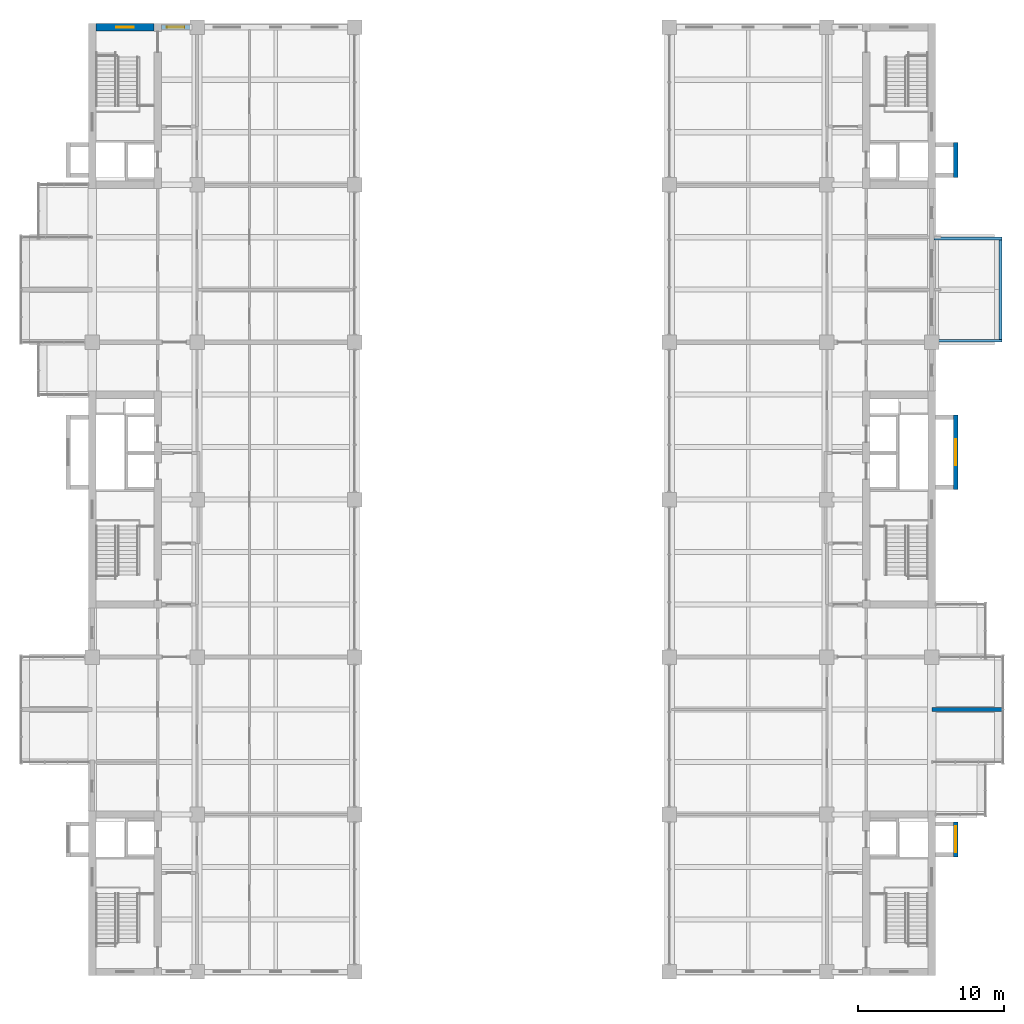
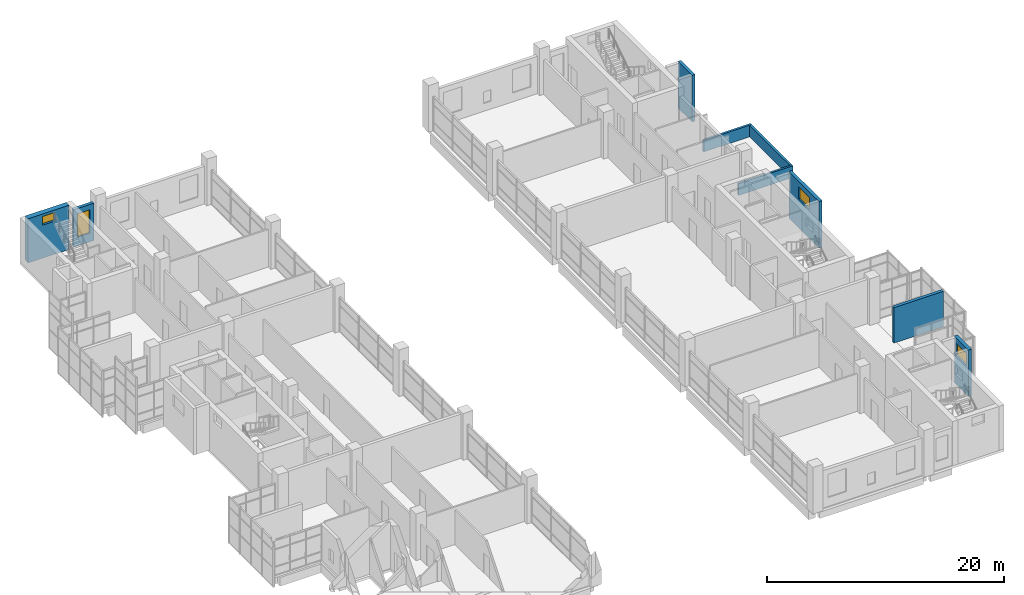
# One storey, part 26 of 30: 9 walls, 4 windows, 4 openings.
"""IFC4 building model written with IfcOpenShell, lengths in metres."""

from ifc_helpers import new_model, si_unit, direction, frame, frame_2d, origin, place, context, subcontext, project, spatial, rectangle, extrude, material, layer, layer_set, type_object, element, fill, save


model = new_model("IFC4")

# Units and contexts
model_context = context("Model", 3, precision=1e-05, world=origin(), true_north=direction((0.0, 1.0)))
body_context = subcontext(model_context, "Body", "Model", "MODEL_VIEW")
ifc_project = project(units=[si_unit("LENGTHUNIT", "METRE"), si_unit("AREAUNIT", "SQUARE_METRE"), si_unit("VOLUMEUNIT", "CUBIC_METRE"), si_unit("PLANEANGLEUNIT", "RADIAN"), si_unit("MASSUNIT", "GRAM", prefix="KILO")], contexts=[model_context])

# Site, building, storey
site_placement = place(None, origin())
site = spatial("IfcSite", under=ifc_project, at=site_placement, CompositionType="ELEMENT")
building_placement = place(site_placement, origin())
building = spatial("IfcBuilding", under=site, at=building_placement, Name="Basin Gate Institute", CompositionType="ELEMENT")
storey_placement = place(building_placement, frame((0.0, 0.0, 36.60009765625)))
storey = spatial("IfcBuildingStorey", under=building, at=storey_placement, Name="L07", CompositionType="ELEMENT", Elevation=36.60009765625)

# Wall
ifc_material_1 = material(Name="Aluminium-faced insulated panel wall", Category="aluminium")
ifc_layer_1 = layer(ifc_material_1, 0.300048828125)
ifc_layer_set_1 = layer_set([ifc_layer_1], Name="Capsule side wall EW2 EI 120")
wall_type_1 = type_object("IfcWallType", Name="Capsule side wall EW2 EI 120", PredefinedType="STANDARD", material=ifc_layer_set_1)
wall_1_placement = place(storey_placement, frame((123.60009765625, 53.10009765625, 0.0), z_axis=(0.0, 0.0, 1.0), x_axis=(-1.0, 0.0, 0.0)))
element("IfcWall", 1, at=wall_1_placement, inside=storey, type_object=wall_type_1, material=ifc_layer_set_1, Name="Capsule side wall E wing L07 line 6", PredefinedType="STANDARD", context=body_context, shape_type="SweptSolid", body=[
    extrude(rectangle(XDim=4.800048828125, YDim=0.300048828125, at=frame_2d((2.39990234375, 0.0))), origin(), (0.0, 0.0, 1.0), 3.64990234375),
])

# Wall, opening, window
ifc_material_2 = material(Name="Aluminium-faced insulated panel wall", Category="aluminium")
ifc_layer_2 = layer(ifc_material_2, 0.300048828125)
ifc_layer_set_2 = layer_set([ifc_layer_2], Name="External wall EW1 EI 120")
wall_type_2 = type_object("IfcWallType", Name="External wall EW1 EI 120", PredefinedType="STANDARD", material=ifc_layer_set_2)
wall_2_placement = place(storey_placement, frame((65.949951171875, 99.89990234375, 0.0), z_axis=(0.0, 0.0, 1.0), x_axis=(1.0, 0.0, 0.0)))
wall_2 = element("IfcWall", 2, at=wall_2_placement, inside=storey, type_object=wall_type_2, material=ifc_layer_set_2, Name="External end wall W wing north L07 1", PredefinedType="STANDARD", context=body_context, shape_type="SweptSolid", body=[
    extrude(rectangle(XDim=1.949951171875, YDim=0.300048828125, at=frame_2d((0.97509765625, 0.0))), origin(), (0.0, 0.0, 1.0), 3.849853515625),
])
opening_1_placement = place(wall_2_placement, frame((0.375, 0.0, 0.89990234375)))
opening_1 = element("IfcOpeningElement", 3, at=opening_1_placement, cuts=wall_2, Name="Opening WN4", PredefinedType="OPENING", context=body_context, shape_type="SweptSolid", body=[
    extrude(rectangle(XDim=1.199951171875, YDim=2.39990234375, at=frame_2d((0.60009765625, 1.199951171875))), frame((0.0, 0.16015625, 0.0), z_axis=(0.0, -1.0, 0.0), x_axis=(1.0, 0.0, 0.0)), (0.0, 0.0, 1.0), 0.320068359375),
])
ifc_material_3 = material(Name="Aluminium-framed double glazing", Category="aluminium")
window_type_1 = type_object("IfcWindowType", Name="Corridor end window WN4", PartitioningType="SINGLE_PANEL", PredefinedType="WINDOW", material=ifc_material_3)
window_1_placement = place(opening_1_placement, origin())
window_1 = element("IfcWindow", 4, at=window_1_placement, inside=storey, type_object=window_type_1, material=ifc_material_3, Name="Corridor end window W wing N L07", OverallHeight=2.39990234375, OverallWidth=1.199951171875, PartitioningType="SINGLE_PANEL", PredefinedType="WINDOW", context=body_context, shape_type="SweptSolid", body=[
    extrude(rectangle(XDim=1.199951171875, YDim=2.39990234375, at=frame_2d((0.60009765625, 1.199951171875))), frame((0.0, 0.030029296875, 0.0), z_axis=(0.0, -1.0, 0.0), x_axis=(1.0, 0.0, 0.0)), (0.0, 0.0, 1.0), 0.06005859375),
])
fill(opening_1, window_1)

# Walls
ifc_material_4 = material(Name="Concrete 40 MPa", Category="concrete")
ifc_layer_3 = layer(ifc_material_4, 0.199951171875)
ifc_layer_set_3 = layer_set([ifc_layer_3], Name="Concrete 40 MPa")
wall_type_3 = type_object("IfcWallType", Name="Parapet wall PA1", PredefinedType="PARAPET", material=ifc_layer_set_3)
wall_3_placement = place(storey_placement, frame((123.60009765625, 78.39990234375, 0.0), z_axis=(0.0, 0.0, 1.0), x_axis=(-1.0, 0.0, 0.0)))
element("IfcWall", 5, at=wall_3_placement, inside=storey, type_object=wall_type_3, material=ifc_layer_set_3, Name="Parapet wall PA1 L07 E1", PredefinedType="PARAPET", context=body_context, shape_type="SweptSolid", body=[
    extrude(rectangle(XDim=5.300048828125, YDim=0.199951171875, at=frame_2d((2.64990234375, 0.0))), origin(), (0.0, 0.0, 1.0), 1.199951171875),
])
wall_4_placement = place(storey_placement, frame((118.949951171875, 85.39990234375, 0.0), z_axis=(0.0, 0.0, 1.0), x_axis=(1.0, 0.0, 0.0)))
element("IfcWall", 6, at=wall_4_placement, inside=storey, type_object=wall_type_3, material=ifc_layer_set_3, Name="Parapet wall PA1 L07 E3", PredefinedType="PARAPET", context=body_context, shape_type="SweptSolid", body=[
    extrude(rectangle(XDim=4.650146484375, YDim=0.199951171875, at=frame_2d((2.3251953125, 0.0))), origin(), (0.0, 0.0, 1.0), 1.199951171875),
])
wall_5_placement = place(storey_placement, frame((123.5, 85.300048828125, 0.0), z_axis=(0.0, 0.0, 1.0), x_axis=(0.0, -1.0, 0.0)))
element("IfcWall", 7, at=wall_5_placement, inside=storey, type_object=wall_type_3, material=ifc_layer_set_3, Name="Parapet wall PA1 L07 E4", PredefinedType="PARAPET", context=body_context, shape_type="SweptSolid", body=[
    extrude(rectangle(XDim=6.800048828125, YDim=0.199951171875, at=frame_2d((3.39990234375, 0.0))), origin(), (0.0, 0.0, 1.0), 1.199951171875),
])

# Wall, opening, window
ifc_material_5 = material(Name="Concrete 50 MPa", Category="concrete")
ifc_layer_4 = layer(ifc_material_5, 0.300048828125)
ifc_layer_set_4 = layer_set([ifc_layer_4], Name="Concrete 50 MPa")
wall_type_4 = type_object("IfcWallType", Name="Wall SK1 R120", PredefinedType="SHEAR", material=ifc_layer_set_4)
wall_6_placement = place(storey_placement, frame((120.449951171875, 43.0, 0.0), z_axis=(0.0, 0.0, 1.0), x_axis=(0.0, 1.0, 0.0)))
wall_6 = element("IfcWall", 8, at=wall_6_placement, inside=storey, type_object=wall_type_4, material=ifc_layer_set_4, Name="Spine riser stack wall SK1 ES F L07", PredefinedType="SHEAR", context=body_context, shape_type="SweptSolid", body=[
    extrude(rectangle(XDim=2.39990234375, YDim=0.300048828125, at=frame_2d((1.199951171875, 0.0))), origin(), (0.0, 0.0, 1.0), 4.7998046875),
])
opening_2_placement = place(wall_6_placement, frame((0.300048828125, 0.0, 3.0)))
opening_2 = element("IfcOpeningElement", 9, at=opening_2_placement, cuts=wall_6, Name="Opening WL2", PredefinedType="OPENING", context=body_context, shape_type="SweptSolid", body=[
    extrude(rectangle(XDim=1.800048828125, YDim=1.199951171875, at=frame_2d((0.89990234375, 0.60009765625))), frame((0.0, 0.16015625, 0.0), z_axis=(0.0, -1.0, 0.0), x_axis=(1.0, 0.0, 0.0)), (0.0, 0.0, 1.0), 0.320068359375),
])
ifc_material_6 = material(Name="Aluminium louvre blades with fire damper", Category="aluminium")
window_type_2 = type_object("IfcWindowType", Name="Riser louvre EI 120 WL2", PartitioningType="SINGLE_PANEL", PredefinedType="WINDOW", material=ifc_material_6)
window_2_placement = place(opening_2_placement, origin())
window_2 = element("IfcWindow", 10, at=window_2_placement, inside=storey, type_object=window_type_2, material=ifc_material_6, Name="Riser louvre EI 120 ES riser 1 L07", OverallHeight=1.199951171875, OverallWidth=1.800048828125, PartitioningType="SINGLE_PANEL", PredefinedType="WINDOW", context=body_context, shape_type="SweptSolid", body=[
    extrude(rectangle(XDim=1.800048828125, YDim=1.199951171875, at=frame_2d((0.89990234375, 0.60009765625))), frame((0.0, 0.030029296875, 0.0), z_axis=(0.0, -1.0, 0.0), x_axis=(1.0, 0.0, 0.0)), (0.0, 0.0, 1.0), 0.06005859375),
])
fill(opening_2, window_2)

wall_7_placement = place(storey_placement, frame((120.449951171875, 68.199951171875, 0.0), z_axis=(0.0, 0.0, 1.0), x_axis=(0.0, 1.0, 0.0)))
wall_7 = element("IfcWall", 11, at=wall_7_placement, inside=storey, type_object=wall_type_4, material=ifc_layer_set_4, Name="Spine riser stack wall SK1 EM F L07", PredefinedType="SHEAR", context=body_context, shape_type="SweptSolid", body=[
    extrude(rectangle(XDim=5.10009765625, YDim=0.300048828125, at=frame_2d((2.550048828125, 0.0))), origin(), (0.0, 0.0, 1.0), 4.7998046875),
])
opening_3_placement = place(wall_7_placement, frame((1.64990234375, 0.0, 3.0)))
opening_3 = element("IfcOpeningElement", 12, at=opening_3_placement, cuts=wall_7, Name="Opening WL2", PredefinedType="OPENING", context=body_context, shape_type="SweptSolid", body=[
    extrude(rectangle(XDim=1.800048828125, YDim=1.199951171875, at=frame_2d((0.89990234375, 0.60009765625))), frame((0.0, 0.16015625, 0.0), z_axis=(0.0, -1.0, 0.0), x_axis=(1.0, 0.0, 0.0)), (0.0, 0.0, 1.0), 0.320068359375),
])
window_3_placement = place(opening_3_placement, origin())
window_3 = element("IfcWindow", 13, at=window_3_placement, inside=storey, type_object=window_type_2, material=ifc_material_6, Name="Riser louvre EI 120 EM riser 1 L07", OverallHeight=1.199951171875, OverallWidth=1.800048828125, PartitioningType="SINGLE_PANEL", PredefinedType="WINDOW", context=body_context, shape_type="SweptSolid", body=[
    extrude(rectangle(XDim=1.800048828125, YDim=1.199951171875, at=frame_2d((0.89990234375, 0.60009765625))), frame((0.0, 0.030029296875, 0.0), z_axis=(0.0, -1.0, 0.0), x_axis=(1.0, 0.0, 0.0)), (0.0, 0.0, 1.0), 0.06005859375),
])
fill(opening_3, window_3)

# Wall
wall_8_placement = place(storey_placement, frame((120.449951171875, 89.60009765625, 0.0), z_axis=(0.0, 0.0, 1.0), x_axis=(0.0, 1.0, 0.0)))
element("IfcWall", 14, at=wall_8_placement, inside=storey, type_object=wall_type_4, material=ifc_layer_set_4, Name="Spine riser stack wall SK1 EN F L07", PredefinedType="SHEAR", context=body_context, shape_type="SweptSolid", body=[
    extrude(rectangle(XDim=2.39990234375, YDim=0.300048828125, at=frame_2d((1.199951171875, 0.0))), origin(), (0.0, 0.0, 1.0), 4.7998046875),
])

# Wall, opening, window
ifc_material_7 = material(Name="Concrete 60 MPa", Category="concrete")
ifc_layer_5 = layer(ifc_material_7, 0.5)
ifc_layer_set_5 = layer_set([ifc_layer_5], Name="Concrete 60 MPa")
wall_type_5 = type_object("IfcWallType", Name="Wall SW1 R120", PredefinedType="SHEAR", material=ifc_layer_set_5)
wall_9_placement = place(storey_placement, frame((61.449951171875, 99.89990234375, 0.0), z_axis=(0.0, 0.0, 1.0), x_axis=(1.0, 0.0, 0.0)))
wall_9 = element("IfcWall", 15, at=wall_9_placement, inside=storey, type_object=wall_type_5, material=ifc_layer_set_5, Name="WALL/L07/WN/N", PredefinedType="SHEAR", context=body_context, shape_type="SweptSolid", body=[
    extrude(rectangle(XDim=4.0, YDim=0.5, at=frame_2d((2.0, 0.0))), origin(), (0.0, 0.0, 1.0), 4.5498046875),
])
opening_4_placement = place(wall_9_placement, frame((1.39990234375, 0.0, 3.39990234375)))
opening_4 = element("IfcOpeningElement", 16, at=opening_4_placement, cuts=wall_9, Name="Opening WT2", PredefinedType="OPENING", context=body_context, shape_type="SweptSolid", body=[
    extrude(rectangle(XDim=1.199951171875, YDim=0.89990234375, at=frame_2d((0.60009765625, 0.449951171875))), frame((0.0, 0.260009765625, 0.0), z_axis=(0.0, -1.0, 0.0), x_axis=(1.0, 0.0, 0.0)), (0.0, 0.0, 1.0), 0.52001953125),
])
ifc_material_8 = material(Name="Fire-resistant glazing in steel-free frame", Category="steel")
window_type_3 = type_object("IfcWindowType", Name="Rated stair window EI 120 WT2", PartitioningType="SINGLE_PANEL", PredefinedType="WINDOW", material=ifc_material_8)
window_4_placement = place(opening_4_placement, origin())
window_4 = element("IfcWindow", 17, at=window_4_placement, inside=storey, type_object=window_type_3, material=ifc_material_8, Name="Rated stair window EI 120 WN end L07", OverallHeight=0.89990234375, OverallWidth=1.199951171875, PartitioningType="SINGLE_PANEL", PredefinedType="WINDOW", context=body_context, shape_type="SweptSolid", body=[
    extrude(rectangle(XDim=1.199951171875, YDim=0.89990234375, at=frame_2d((0.60009765625, 0.449951171875))), frame((0.0, 0.030029296875, 0.0), z_axis=(0.0, -1.0, 0.0), x_axis=(1.0, 0.0, 0.0)), (0.0, 0.0, 1.0), 0.06005859375),
])
fill(opening_4, window_4)

save(model, "model.ifc")
